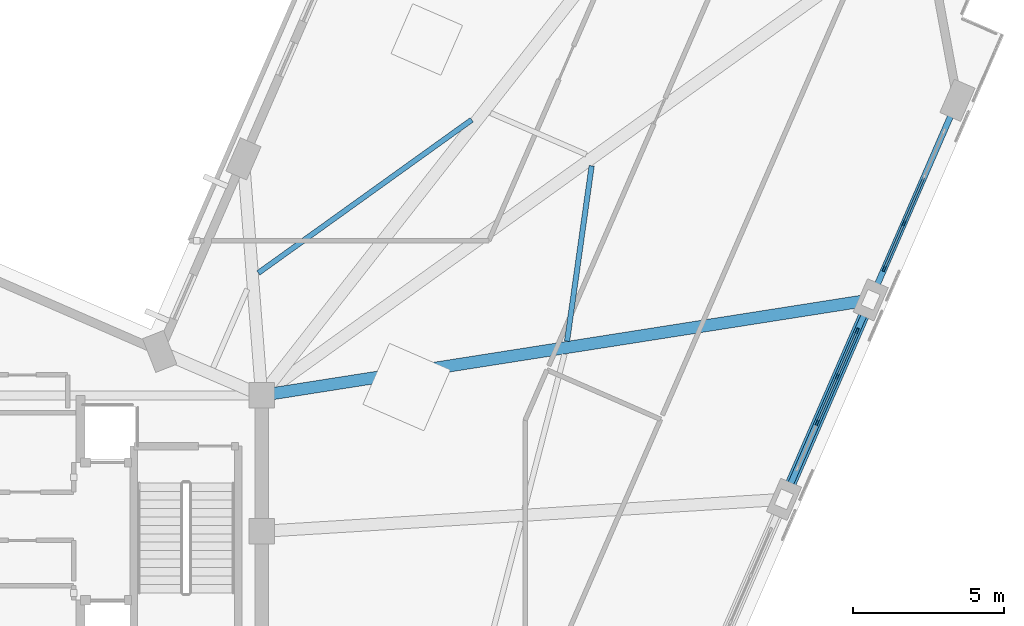
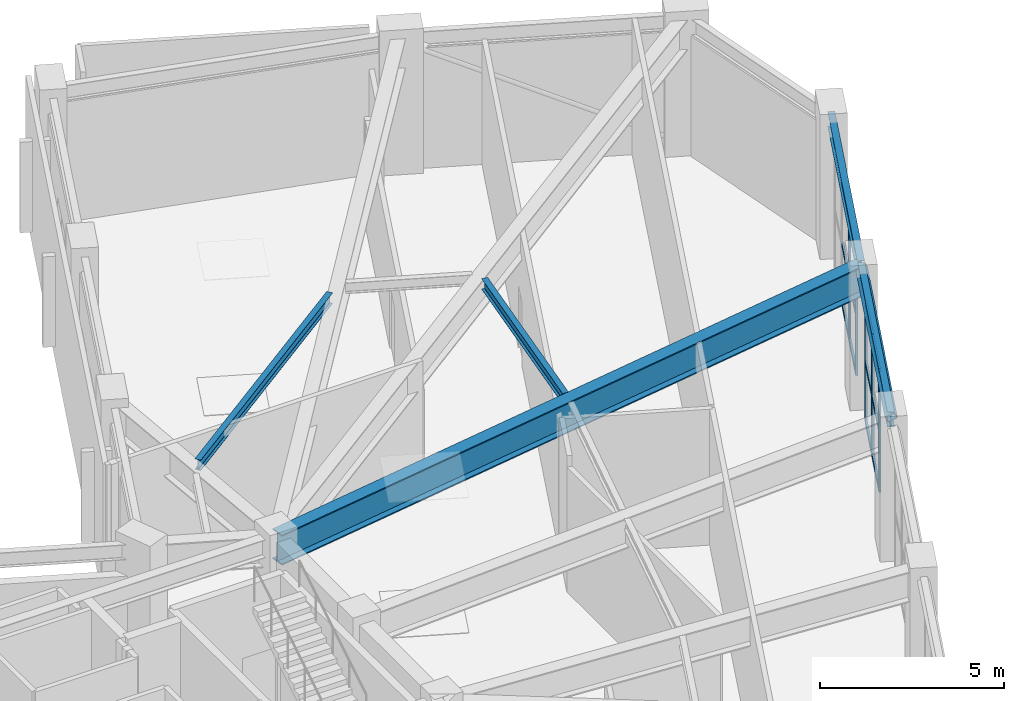
# One storey, part 5 of 16: 18 members, 5 beams, 2 elements without a shape of their own.
"""IFC4 building model written with IfcOpenShell, lengths in metres."""

from ifc_helpers import new_model, si_unit, direction, frame, origin, origin_2d, place, context, subcontext, project, spatial, rectangle, hollow_rectangle, i_section, extrude, material, material_profile, profile_set, type_object, element, aggregate, save


model = new_model("IFC4")

# Units and contexts
model_context = context("Model", 3, precision=1e-05, world=origin(), true_north=direction((0.0, 1.0)))
body_context = subcontext(model_context, "Body", "Model", "MODEL_VIEW")
ifc_project = project(units=[si_unit("LENGTHUNIT", "METRE"), si_unit("AREAUNIT", "SQUARE_METRE"), si_unit("VOLUMEUNIT", "CUBIC_METRE"), si_unit("PLANEANGLEUNIT", "RADIAN"), si_unit("MASSUNIT", "GRAM", prefix="KILO")], contexts=[model_context])

# Site, building, storey
site_placement = place(None, origin())
site = spatial("IfcSite", under=ifc_project, at=site_placement, CompositionType="ELEMENT")
building_placement = place(site_placement, origin())
building = spatial("IfcBuilding", under=site, at=building_placement, Name="Gaonmaruhae Medical Tower", CompositionType="ELEMENT")
storey_placement = place(building_placement, frame((0.0, 0.0, 333.39990234375)))
storey = spatial("IfcBuildingStorey", under=building, at=storey_placement, Name="L80", CompositionType="ELEMENT", Elevation=333.39990234375)

# Beam
ifc_material_1 = material(Name="Steel SM420", Category="steel")
ifc_material_profile_1 = material_profile(ifc_material_1, i_section(OverallWidth=0.39990234375, OverallDepth=1.0, WebThickness=0.02197265625, FlangeThickness=0.035888671875, at=origin_2d()), Name="BH-1000x400x22x36")
ifc_profile_set_1 = profile_set([ifc_material_profile_1], Name="Steel SM420")
beam_type_1 = type_object("IfcBeamType", Name="BG-02 Refuge Floor Primary Girder (BH-1000x400x22x36)", PredefinedType="BEAM", material=ifc_profile_set_1)
beam_1_placement = place(storey_placement, frame((35.6494140625, 16.807861328125, 4.0), z_axis=(0.987915736395, 0.15499192812, 0.0), x_axis=(-0.15499192812, 0.987915736395, 0.0)))
element("IfcBeam", 1, at=beam_1_placement, inside=storey, type_object=beam_type_1, Name="L80 Radial Primary Girder S05", PredefinedType="BEAM", context=body_context, shape_type="SweptSolid", body=[
    extrude(i_section(OverallWidth=0.39990234375, OverallDepth=1.0, WebThickness=0.02197265625, FlangeThickness=0.035888671875, at=origin_2d()), origin(), (0.0, 0.0, 1.0), 20.3056640625),
])

# Curtain wall, members
ifc_material_2 = material(Name="Anodised aluminium and Low-E double glazing", Category="aluminium")
curtain_wall_type = type_object("IfcCurtainWallType", Name="CW-S5 Observation Crown Panorama Curtain Wall", PredefinedType="NOTDEFINED", material=ifc_material_2)
curtain_wall_1_placement = place(storey_placement, origin())
curtain_wall_1 = element("IfcCurtainWall", 2, at=curtain_wall_1_placement, inside=storey, type_object=curtain_wall_type, Name="L80 Curtain Wall CW-L80-S04", PredefinedType="NOTDEFINED")
ifc_material_3 = material(Name="Anodised aluminium 6063-T6", Category="aluminium")
ifc_material_profile_2 = material_profile(ifc_material_3, rectangle(XDim=0.06494140625, YDim=0.179931640625, at=origin_2d()), Name="CWM-65x180")
ifc_profile_set_2 = profile_set([ifc_material_profile_2], Name="Anodised aluminium 6063-T6")
member_type_1 = type_object("IfcMemberType", Name="CWM-2 Tower Feature Curtain Wall Mullion (CWM-65x180)", PredefinedType="MULLION", material=ifc_profile_set_2)
member_1_placement = place(storey_placement, frame((55.3125, 18.935791015625, 0.0), z_axis=(0.0, 0.0, 1.0), x_axis=(0.917060248038, -0.398748669551, 0.0)))
member_1 = element("IfcMember", 3, at=member_1_placement, type_object=member_type_1, Name="CW-S5 mullion 1", PredefinedType="MULLION", context=body_context, shape_type="SweptSolid", body=[
    extrude(rectangle(XDim=0.06494140625, YDim=0.179931640625, at=origin_2d()), origin(), (0.0, 0.0, 1.0), 3.985107421875),
])
member_2_placement = place(storey_placement, frame((54.657470703125, 17.429443359375, 0.0), z_axis=(0.0, 0.0, 1.0), x_axis=(0.917060248038, -0.398748669551, 0.0)))
member_2 = element("IfcMember", 4, at=member_2_placement, type_object=member_type_1, Name="CW-S5 mullion 2", PredefinedType="MULLION", context=body_context, shape_type="SweptSolid", body=[
    extrude(rectangle(XDim=0.06494140625, YDim=0.179931640625, at=origin_2d()), origin(), (0.0, 0.0, 1.0), 3.985107421875),
])
member_3_placement = place(storey_placement, frame((53.989501953125, 15.8935546875, 0.0), z_axis=(0.0, 0.0, 1.0), x_axis=(0.917060248038, -0.398748669551, 0.0)))
member_3 = element("IfcMember", 5, at=member_3_placement, type_object=member_type_1, Name="CW-S5 mullion 3", PredefinedType="MULLION", context=body_context, shape_type="SweptSolid", body=[
    extrude(rectangle(XDim=0.06494140625, YDim=0.179931640625, at=origin_2d()), origin(), (0.0, 0.0, 1.0), 3.985107421875),
])

curtain_wall_2_placement = place(storey_placement, origin())
curtain_wall_2 = element("IfcCurtainWall", 6, at=curtain_wall_2_placement, inside=storey, type_object=curtain_wall_type, Name="L80 Curtain Wall CW-L80-S05", PredefinedType="NOTDEFINED")
member_4_placement = place(storey_placement, frame((56.860595703125, 22.496337890625, 0.0), z_axis=(0.0, 0.0, 1.0), x_axis=(0.917060248038, -0.398748669551, 0.0)))
member_4 = element("IfcMember", 7, at=member_4_placement, type_object=member_type_1, Name="CW-S5 mullion 3", PredefinedType="MULLION", context=body_context, shape_type="SweptSolid", body=[
    extrude(rectangle(XDim=0.06494140625, YDim=0.179931640625, at=origin_2d()), origin(), (0.0, 0.0, 1.0), 3.985107421875),
])
member_5_placement = place(storey_placement, frame((56.20556640625, 20.989990234375, 0.0), z_axis=(0.0, 0.0, 1.0), x_axis=(0.917060248038, -0.398748669551, 0.0)))
member_5 = element("IfcMember", 8, at=member_5_placement, type_object=member_type_1, Name="CW-S5 mullion 4", PredefinedType="MULLION", context=body_context, shape_type="SweptSolid", body=[
    extrude(rectangle(XDim=0.06494140625, YDim=0.179931640625, at=origin_2d()), origin(), (0.0, 0.0, 1.0), 3.985107421875),
])

# Member
ifc_material_profile_3 = material_profile(ifc_material_3, rectangle(XDim=0.06494140625, YDim=0.139892578125, at=origin_2d()), Name="CWT-65x140")
ifc_profile_set_3 = profile_set([ifc_material_profile_3], Name="Anodised aluminium 6063-T6")
member_type_2 = type_object("IfcMemberType", Name="CWT-2 Tower Feature Curtain Wall Transom (CWT-65x140)", PredefinedType="USERDEFINED", material=ifc_profile_set_3)
member_6_placement = place(storey_placement, frame((55.299560546875, 18.906005859375, 0.03271484375), z_axis=(-0.398788354558, -0.917042991505, 0.0), x_axis=(0.917042991505, -0.398788354558, 0.0)))
member_6 = element("IfcMember", 9, at=member_6_placement, type_object=member_type_2, Name="CW-S5 transom 1.1", ObjectType="TRANSOM", PredefinedType="USERDEFINED", context=body_context, shape_type="SweptSolid", body=[
    extrude(rectangle(XDim=0.06494140625, YDim=0.139892578125, at=origin_2d()), origin(), (0.0, 0.0, 1.0), 1.57763671875),
])

member_7_placement = place(storey_placement, frame((55.299560546875, 18.906005859375, 1.99267578125), z_axis=(-0.398788354558, -0.917042991505, 0.0), x_axis=(0.917042991505, -0.398788354558, 0.0)))
member_7 = element("IfcMember", 10, at=member_7_placement, type_object=member_type_2, Name="CW-S5 transom 1.2", ObjectType="TRANSOM", PredefinedType="USERDEFINED", context=body_context, shape_type="SweptSolid", body=[
    extrude(rectangle(XDim=0.06494140625, YDim=0.139892578125, at=origin_2d()), origin(), (0.0, 0.0, 1.0), 1.57763671875),
])

member_8_placement = place(storey_placement, frame((55.299560546875, 18.906005859375, 3.95263671875), z_axis=(-0.398788354558, -0.917042991505, 0.0), x_axis=(0.917042991505, -0.398788354558, 0.0)))
member_8 = element("IfcMember", 11, at=member_8_placement, type_object=member_type_2, Name="CW-S5 transom 1.3", ObjectType="TRANSOM", PredefinedType="USERDEFINED", context=body_context, shape_type="SweptSolid", body=[
    extrude(rectangle(XDim=0.06494140625, YDim=0.139892578125, at=origin_2d()), origin(), (0.0, 0.0, 1.0), 1.57763671875),
])

member_9_placement = place(storey_placement, frame((54.64453125, 17.399658203125, 0.03271484375), z_axis=(-0.398837012418, -0.917021830452, 0.0), x_axis=(0.917021830452, -0.398837012418, 0.0)))
member_9 = element("IfcMember", 12, at=member_9_placement, type_object=member_type_2, Name="CW-S5 transom 2.1", ObjectType="TRANSOM", PredefinedType="USERDEFINED", context=body_context, shape_type="SweptSolid", body=[
    extrude(rectangle(XDim=0.06494140625, YDim=0.139892578125, at=origin_2d()), origin(), (0.0, 0.0, 1.0), 1.60986328125),
])

member_10_placement = place(storey_placement, frame((54.64453125, 17.399658203125, 1.99267578125), z_axis=(-0.398837012418, -0.917021830452, 0.0), x_axis=(0.917021830452, -0.398837012418, 0.0)))
member_10 = element("IfcMember", 13, at=member_10_placement, type_object=member_type_2, Name="CW-S5 transom 2.2", ObjectType="TRANSOM", PredefinedType="USERDEFINED", context=body_context, shape_type="SweptSolid", body=[
    extrude(rectangle(XDim=0.06494140625, YDim=0.139892578125, at=origin_2d()), origin(), (0.0, 0.0, 1.0), 1.60986328125),
])

member_11_placement = place(storey_placement, frame((54.64453125, 17.399658203125, 3.95263671875), z_axis=(-0.398837012418, -0.917021830452, 0.0), x_axis=(0.917021830452, -0.398837012418, 0.0)))
member_11 = element("IfcMember", 14, at=member_11_placement, type_object=member_type_2, Name="CW-S5 transom 2.3", ObjectType="TRANSOM", PredefinedType="USERDEFINED", context=body_context, shape_type="SweptSolid", body=[
    extrude(rectangle(XDim=0.06494140625, YDim=0.139892578125, at=origin_2d()), origin(), (0.0, 0.0, 1.0), 1.60986328125),
])

aggregate(curtain_wall_1, [member_1, member_2, member_3, member_6, member_7, member_8, member_9, member_10, member_11])

member_12_placement = place(storey_placement, frame((57.515625, 24.00244140625, 0.03271484375), z_axis=(-0.398837012418, -0.917021830452, 0.0), x_axis=(0.917021830452, -0.398837012418, 0.0)))
member_12 = element("IfcMember", 15, at=member_12_placement, type_object=member_type_2, Name="CW-S5 transom 2.1", ObjectType="TRANSOM", PredefinedType="USERDEFINED", context=body_context, shape_type="SweptSolid", body=[
    extrude(rectangle(XDim=0.06494140625, YDim=0.139892578125, at=origin_2d()), origin(), (0.0, 0.0, 1.0), 1.60986328125),
])

member_13_placement = place(storey_placement, frame((57.515625, 24.00244140625, 1.99267578125), z_axis=(-0.398837012418, -0.917021830452, 0.0), x_axis=(0.917021830452, -0.398837012418, 0.0)))
member_13 = element("IfcMember", 16, at=member_13_placement, type_object=member_type_2, Name="CW-S5 transom 2.2", ObjectType="TRANSOM", PredefinedType="USERDEFINED", context=body_context, shape_type="SweptSolid", body=[
    extrude(rectangle(XDim=0.06494140625, YDim=0.139892578125, at=origin_2d()), origin(), (0.0, 0.0, 1.0), 1.60986328125),
])

member_14_placement = place(storey_placement, frame((57.515625, 24.00244140625, 3.95263671875), z_axis=(-0.398837012418, -0.917021830452, 0.0), x_axis=(0.917021830452, -0.398837012418, 0.0)))
member_14 = element("IfcMember", 17, at=member_14_placement, type_object=member_type_2, Name="CW-S5 transom 2.3", ObjectType="TRANSOM", PredefinedType="USERDEFINED", context=body_context, shape_type="SweptSolid", body=[
    extrude(rectangle(XDim=0.06494140625, YDim=0.139892578125, at=origin_2d()), origin(), (0.0, 0.0, 1.0), 1.60986328125),
])

member_15_placement = place(storey_placement, frame((56.84765625, 22.466552734375, 0.03271484375), z_axis=(-0.398788354558, -0.917042991505, 0.0), x_axis=(0.917042991505, -0.398788354558, 0.0)))
member_15 = element("IfcMember", 18, at=member_15_placement, type_object=member_type_2, Name="CW-S5 transom 3.1", ObjectType="TRANSOM", PredefinedType="USERDEFINED", context=body_context, shape_type="SweptSolid", body=[
    extrude(rectangle(XDim=0.06494140625, YDim=0.139892578125, at=origin_2d()), origin(), (0.0, 0.0, 1.0), 1.57763671875),
])

member_16_placement = place(storey_placement, frame((56.84765625, 22.466552734375, 1.99267578125), z_axis=(-0.398788354558, -0.917042991505, 0.0), x_axis=(0.917042991505, -0.398788354558, 0.0)))
member_16 = element("IfcMember", 19, at=member_16_placement, type_object=member_type_2, Name="CW-S5 transom 3.2", ObjectType="TRANSOM", PredefinedType="USERDEFINED", context=body_context, shape_type="SweptSolid", body=[
    extrude(rectangle(XDim=0.06494140625, YDim=0.139892578125, at=origin_2d()), origin(), (0.0, 0.0, 1.0), 1.57763671875),
])

member_17_placement = place(storey_placement, frame((56.84765625, 22.466552734375, 3.95263671875), z_axis=(-0.398788354558, -0.917042991505, 0.0), x_axis=(0.917042991505, -0.398788354558, 0.0)))
member_17 = element("IfcMember", 20, at=member_17_placement, type_object=member_type_2, Name="CW-S5 transom 3.3", ObjectType="TRANSOM", PredefinedType="USERDEFINED", context=body_context, shape_type="SweptSolid", body=[
    extrude(rectangle(XDim=0.06494140625, YDim=0.139892578125, at=origin_2d()), origin(), (0.0, 0.0, 1.0), 1.57763671875),
])

aggregate(curtain_wall_2, [member_4, member_5, member_12, member_13, member_14, member_15, member_16, member_17])

# Beams
ifc_material_4 = material(Name="Steel SM355", Category="steel")
ifc_material_profile_4 = material_profile(ifc_material_4, i_section(OverallWidth=0.175048828125, OverallDepth=0.35009765625, WebThickness=0.007080078125, FlangeThickness=0.010986328125, FilletRadius=0.012939453125, at=origin_2d()), Name="H-350x175x7x11")
ifc_profile_set_4 = profile_set([ifc_material_profile_4], Name="Steel SM355")
beam_type_2 = type_object("IfcBeamType", Name="FJ-02 Upper Zone Ward Floor Joist (H-350x175x7x11)", PredefinedType="JOIST", material=ifc_profile_set_4)
beam_2_placement = place(storey_placement, frame((45.70947265625, 18.594482421875, 4.3251953125), z_axis=(0.138970704931, 0.990296492557, 0.0), x_axis=(-0.990296492557, 0.138970704931, 0.0)))
element("IfcBeam", 21, at=beam_2_placement, inside=storey, type_object=beam_type_2, Name="L80 Secondary Floor Joist FJ05", PredefinedType="JOIST", context=body_context, shape_type="SweptSolid", body=[
    extrude(i_section(OverallWidth=0.175048828125, OverallDepth=0.35009765625, WebThickness=0.007080078125, FlangeThickness=0.010986328125, FilletRadius=0.012939453125, at=origin_2d()), origin(), (0.0, 0.0, 1.0), 5.85888671875),
])
beam_3_placement = place(storey_placement, frame((42.553955078125, 25.921142578125, 4.3251953125), z_axis=(-0.812434971378, -0.583051813548, 0.0), x_axis=(0.583051813548, -0.812434971378, 0.0)))
element("IfcBeam", 22, at=beam_3_placement, inside=storey, type_object=beam_type_2, Name="L80 Secondary Floor Joist FJ07", PredefinedType="JOIST", context=body_context, shape_type="SweptSolid", body=[
    extrude(i_section(OverallWidth=0.175048828125, OverallDepth=0.35009765625, WebThickness=0.007080078125, FlangeThickness=0.010986328125, FilletRadius=0.012939453125, at=origin_2d()), origin(), (0.0, 0.0, 1.0), 8.690185546875),
])

# Member
ifc_material_profile_5 = material_profile(ifc_material_4, hollow_rectangle(XDim=0.199951171875, YDim=0.300048828125, WallThickness=0.011962890625, at=origin_2d()), Name="RHS-300x200x12")
ifc_profile_set_5 = profile_set([ifc_material_profile_5], Name="Steel SM355")
member_type_3 = type_object("IfcMemberType", Name="PR-01 Observation Canopy Roof Purlin (RHS-300x200x12)", PredefinedType="PURLIN", material=ifc_profile_set_5)
member_18_placement = place(storey_placement, frame((52.88818359375, 13.360107421875, 4.34521484375), z_axis=(0.398734790782, 0.917066282566, 0.0), x_axis=(-0.365679326316, 0.158995126572, 0.917060074385)))
element("IfcMember", 23, at=member_18_placement, inside=storey, type_object=member_type_3, Name="L80 Observation Deck Canopy Purlin PR04", PredefinedType="PURLIN", context=body_context, shape_type="SweptSolid", body=[
    extrude(hollow_rectangle(XDim=0.199951171875, YDim=0.300048828125, WallThickness=0.011962890625, at=origin_2d()), origin(), (0.0, 0.0, 1.0), 7.199951171875),
])

# Beams
ifc_material_profile_6 = material_profile(ifc_material_4, i_section(OverallWidth=0.199951171875, OverallDepth=0.5, WebThickness=0.010009765625, FlangeThickness=0.01611328125, FilletRadius=0.012939453125, at=origin_2d()), Name="H-500x200x10x16")
ifc_profile_set_6 = profile_set([ifc_material_profile_6], Name="Steel SM355")
beam_type_3 = type_object("IfcBeamType", Name="SP-02 Upper Perimeter Spandrel Beam (H-500x200x10x16)", PredefinedType="SPANDREL", material=ifc_profile_set_6)
beam_4_placement = place(storey_placement, frame((52.904052734375, 13.396728515625, 4.25), z_axis=(0.398747426125, 0.917060788693, 0.0), x_axis=(-0.917060788693, 0.398747426125, 0.0)))
element("IfcBeam", 24, at=beam_4_placement, inside=storey, type_object=beam_type_3, Name="L80 Perimeter Spandrel Beam S04-S05", PredefinedType="SPANDREL", context=body_context, shape_type="SweptSolid", body=[
    extrude(i_section(OverallWidth=0.199951171875, OverallDepth=0.5, WebThickness=0.010009765625, FlangeThickness=0.01611328125, FilletRadius=0.012939453125, at=origin_2d()), origin(), (0.0, 0.0, 1.0), 7.1201171875),
])
beam_5_placement = place(storey_placement, frame((55.775146484375, 19.99951171875, 4.25), z_axis=(0.398718588421, 0.917073327083, 0.0), x_axis=(-0.917073327083, 0.398718588421, 0.0)))
element("IfcBeam", 25, at=beam_5_placement, inside=storey, type_object=beam_type_3, Name="L80 Perimeter Spandrel Beam S05-S06", PredefinedType="SPANDREL", context=body_context, shape_type="SweptSolid", body=[
    extrude(i_section(OverallWidth=0.199951171875, OverallDepth=0.5, WebThickness=0.010009765625, FlangeThickness=0.01611328125, FilletRadius=0.012939453125, at=origin_2d()), origin(), (0.0, 0.0, 1.0), 7.119873046875),
])

save(model, "model.ifc")
